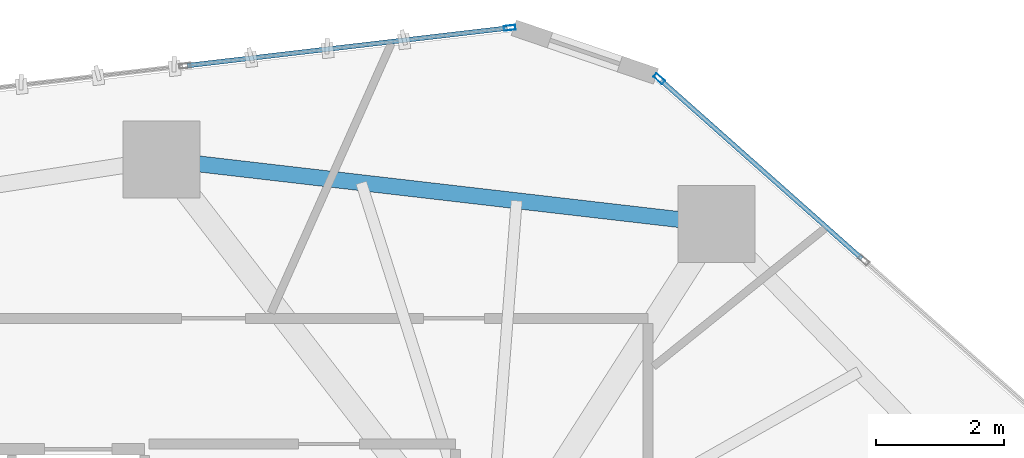
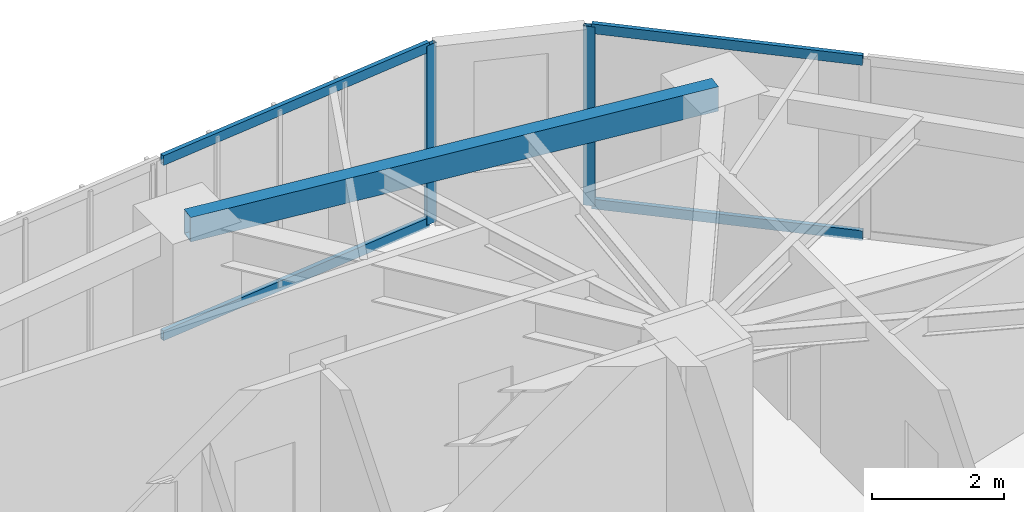
# One storey, part 17 of 24: 6 members, 1 beam, 2 elements without a shape of their own.
"""IFC4 building model written with IfcOpenShell, lengths in metres."""

from ifc_helpers import new_model, si_unit, direction, frame, origin, origin_2d, place, context, subcontext, project, spatial, hollow_rectangle, extrude, source, transform, mapped, material, layer, layer_set, material_profile, profile_set, type_object, type_shapes, element, aggregate, save


model = new_model("IFC4")

# Units and contexts
model_context = context("Model", 3, precision=1e-05, world=origin(), true_north=direction((0.0, 1.0)))
body_context = subcontext(model_context, "Body", "Model", "MODEL_VIEW")
ifc_project = project(units=[si_unit("LENGTHUNIT", "METRE"), si_unit("AREAUNIT", "SQUARE_METRE"), si_unit("VOLUMEUNIT", "CUBIC_METRE"), si_unit("PLANEANGLEUNIT", "RADIAN"), si_unit("MASSUNIT", "GRAM", prefix="KILO")], contexts=[model_context])

# Site, building, storey
site_placement = place(None, origin())
site = spatial("IfcSite", under=ifc_project, at=site_placement, CompositionType="ELEMENT")
building_placement = place(site_placement, origin())
building = spatial("IfcBuilding", under=site, at=building_placement, Name="Talar Marvaseh", CompositionType="ELEMENT")
storey_placement = place(building_placement, frame((0.0, 0.0, 111.0)))
storey = spatial("IfcBuildingStorey", under=building, at=storey_placement, Name="L28", CompositionType="ELEMENT", Elevation=111.0)

# Beam
ifc_material_1 = material(Name="Steel S355", Category="steel")
ifc_material_profile_1 = material_profile(ifc_material_1, hollow_rectangle(XDim=0.25, YDim=0.449951171875, WallThickness=0.01611328125, at=origin_2d()), Name="RHS450x250x16")
ifc_profile_set_1 = profile_set([ifc_material_profile_1], Name="Steel S355")
beam_type = type_object("IfcBeamType", Name="Zone 2 Perimeter Spandrel Beam RHS450x250x16", PredefinedType="SPANDREL", material=ifc_profile_set_1)
beam_placement = place(storey_placement, frame((28.221923828125, 43.471923828125, 3.0849609375), z_axis=(0.993361914569, -0.115030894474, 0.0), x_axis=(0.115030894474, 0.993361914569, 0.0)))
element("IfcBeam", 1, at=beam_placement, inside=storey, type_object=beam_type, Name="L28 Zone 2 Perimeter Spandrel Beam RHS450x250x16", PredefinedType="SPANDREL", context=body_context, shape_type="SweptSolid", body=[
    extrude(hollow_rectangle(XDim=0.25, YDim=0.449951171875, WallThickness=0.01611328125, at=origin_2d()), origin(), (0.0, 0.0, 1.0), 8.701904296875),
])

# Curtain wall, member
ifc_material_2 = material(Name="Architectural Aluminium", Category="aluminium")
ifc_layer = layer(ifc_material_2, 0.199951171875)
ifc_layer_set = layer_set([ifc_layer], Name="Architectural Aluminium")
curtain_wall_type = type_object("IfcCurtainWallType", Name="Unitised Acoustic Library Curtain Wall Z2", PredefinedType="NOTDEFINED", material=ifc_layer_set)
curtain_wall_1_placement = place(storey_placement, origin())
curtain_wall_1 = element("IfcCurtainWall", 2, at=curtain_wall_1_placement, inside=storey, type_object=curtain_wall_type, Name="L28 Unitised Acoustic Library Curtain Wall Z2", PredefinedType="NOTDEFINED")
ifc_material_profile_2 = material_profile(ifc_material_2, hollow_rectangle(XDim=0.074951171875, YDim=0.179931640625, WallThickness=0.0048828125, at=origin_2d()), Name="RHS180x75x5")
ifc_profile_set_2 = profile_set([ifc_material_profile_2], Name="Architectural Aluminium")
member_type_1 = type_object("IfcMemberType", Name="Unitised Curtain Wall Standard Mullion RHS180x75x5", PredefinedType="MULLION", material=ifc_profile_set_2)
shared_shape_1 = source(origin(), body_context, "Body", "SweptSolid", [
    extrude(hollow_rectangle(XDim=0.074951171875, YDim=0.179931640625, WallThickness=0.0048828125, at=origin_2d()), origin(), (0.0, 0.0, 1.0), 3.31005859375),
])
type_shapes(member_type_1, [shared_shape_1])
member_1_placement = place(storey_placement, frame((33.64599609375, 45.5244140625, 0.0), z_axis=(0.0, 0.0, 1.0), x_axis=(-0.116360184884, 0.993207081818, 0.0)))
member_1 = element("IfcMember", 3, at=member_1_placement, type_object=member_type_1, Name="CW-Z2 mullion 4", PredefinedType="MULLION", context=body_context, shape_type="MappedRepresentation", body=[
    mapped(shared_shape_1, transform((0.0, 0.0, 0.0), x_axis=(1.0, 0.0, 0.0), y_axis=(0.0, 1.0, 0.0), z_axis=(0.0, 0.0, 1.0), scale=1.0)),
])

# Curtain wall, members
curtain_wall_2_placement = place(storey_placement, origin())
curtain_wall_2 = element("IfcCurtainWall", 4, at=curtain_wall_2_placement, inside=storey, type_object=curtain_wall_type, Name="L28 Unitised Acoustic Library Curtain Wall Z2", PredefinedType="NOTDEFINED")
member_2_placement = place(storey_placement, frame((35.972900390625, 44.731689453125, 0.0), z_axis=(0.0, 0.0, 1.0), x_axis=(0.663876651499, 0.747842090012, 0.0)))
member_2 = element("IfcMember", 5, at=member_2_placement, type_object=member_type_1, Name="CW-Z2 mullion 1", PredefinedType="MULLION", context=body_context, shape_type="MappedRepresentation", body=[
    mapped(shared_shape_1, transform((0.0, 0.0, 0.0), x_axis=(1.0, 0.0, 0.0), y_axis=(0.0, 1.0, 0.0), z_axis=(0.0, 0.0, 1.0), scale=1.0)),
])
ifc_material_profile_3 = material_profile(ifc_material_2, hollow_rectangle(XDim=0.074951171875, YDim=0.179931640625, WallThickness=0.0048828125, at=origin_2d()), Name="RHS180x75x5")
ifc_profile_set_3 = profile_set([ifc_material_profile_3], Name="Architectural Aluminium")
member_type_2 = type_object("IfcMemberType", Name="Unitised Curtain Wall Transom RHS180x75x5", PredefinedType="USERDEFINED", material=ifc_profile_set_3)
shared_shape_2 = source(origin(), body_context, "Body", "SweptSolid", [
    extrude(hollow_rectangle(XDim=0.074951171875, YDim=0.179931640625, WallThickness=0.0048828125, at=origin_2d()), origin(), (0.0, 0.0, 1.0), 4.185546875),
])
member_3_placement = place(storey_placement, frame((36.0009765625, 44.70703125, 0.03759765625), z_axis=(0.74782752542, -0.663893057822, 0.0), x_axis=(0.663893057822, 0.74782752542, 0.0)))
member_3 = element("IfcMember", 6, at=member_3_placement, type_object=member_type_2, Name="CW-Z2 transom 1.1", ObjectType="TRANSOM", PredefinedType="USERDEFINED", context=body_context, shape_type="MappedRepresentation", body=[
    mapped(shared_shape_2, transform((0.0, 0.0, 0.0), x_axis=(1.0, 0.0, 0.0), y_axis=(0.0, 1.0, 0.0), z_axis=(0.0, 0.0, 1.0), scale=1.0)),
])
member_4_placement = place(storey_placement, frame((36.0009765625, 44.70703125, 3.2724609375), z_axis=(0.74782752542, -0.663893057822, 0.0), x_axis=(0.663893057822, 0.74782752542, 0.0)))
member_4 = element("IfcMember", 7, at=member_4_placement, type_object=member_type_2, Name="CW-Z2 transom 1.2", ObjectType="TRANSOM", PredefinedType="USERDEFINED", context=body_context, shape_type="MappedRepresentation", body=[
    mapped(shared_shape_2, transform((0.0, 0.0, 0.0), x_axis=(1.0, 0.0, 0.0), y_axis=(0.0, 1.0, 0.0), z_axis=(0.0, 0.0, 1.0), scale=1.0)),
])
aggregate(curtain_wall_2, [member_2, member_3, member_4])

# Member
shared_shape_3 = source(origin(), body_context, "Body", "SweptSolid", [
    extrude(hollow_rectangle(XDim=0.074951171875, YDim=0.179931640625, WallThickness=0.0048828125, at=origin_2d()), origin(), (0.0, 0.0, 1.0), 5.017578125),
])
type_shapes(member_type_2, [shared_shape_2, shared_shape_3])
member_5_placement = place(storey_placement, frame((28.625244140625, 44.93603515625, 0.03759765625), z_axis=(0.993203643259, 0.116389531387, 0.0), x_axis=(-0.116389531387, 0.993203643259, 0.0)))
member_5 = element("IfcMember", 8, at=member_5_placement, type_object=member_type_2, Name="CW-Z2 transom 3.1", ObjectType="TRANSOM", PredefinedType="USERDEFINED", context=body_context, shape_type="MappedRepresentation", body=[
    mapped(shared_shape_3, transform((0.0, 0.0, 0.0), x_axis=(1.0, 0.0, 0.0), y_axis=(0.0, 1.0, 0.0), z_axis=(0.0, 0.0, 1.0), scale=1.0)),
])

member_6_placement = place(storey_placement, frame((28.625244140625, 44.93603515625, 3.2724609375), z_axis=(0.993203643259, 0.116389531387, 0.0), x_axis=(-0.116389531387, 0.993203643259, 0.0)))
member_6 = element("IfcMember", 9, at=member_6_placement, type_object=member_type_2, Name="CW-Z2 transom 3.2", ObjectType="TRANSOM", PredefinedType="USERDEFINED", context=body_context, shape_type="MappedRepresentation", body=[
    mapped(shared_shape_3, transform((0.0, 0.0, 0.0), x_axis=(1.0, 0.0, 0.0), y_axis=(0.0, 1.0, 0.0), z_axis=(0.0, 0.0, 1.0), scale=1.0)),
])

aggregate(curtain_wall_1, [member_1, member_5, member_6])

save(model, "model.ifc")
